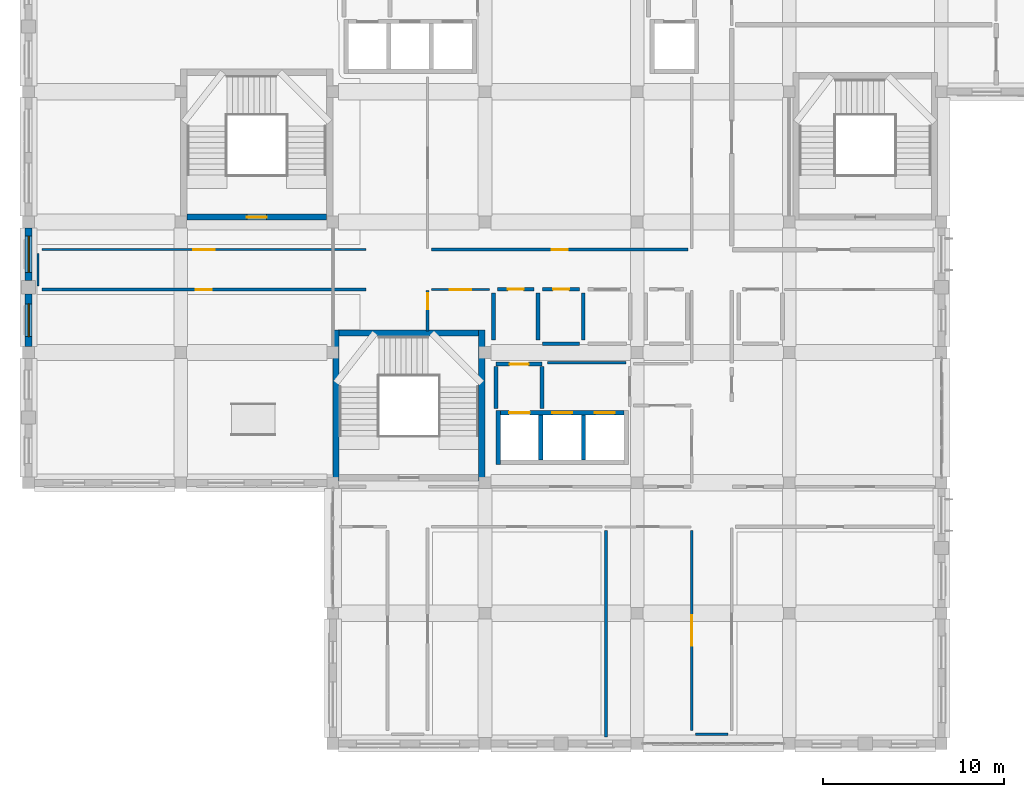
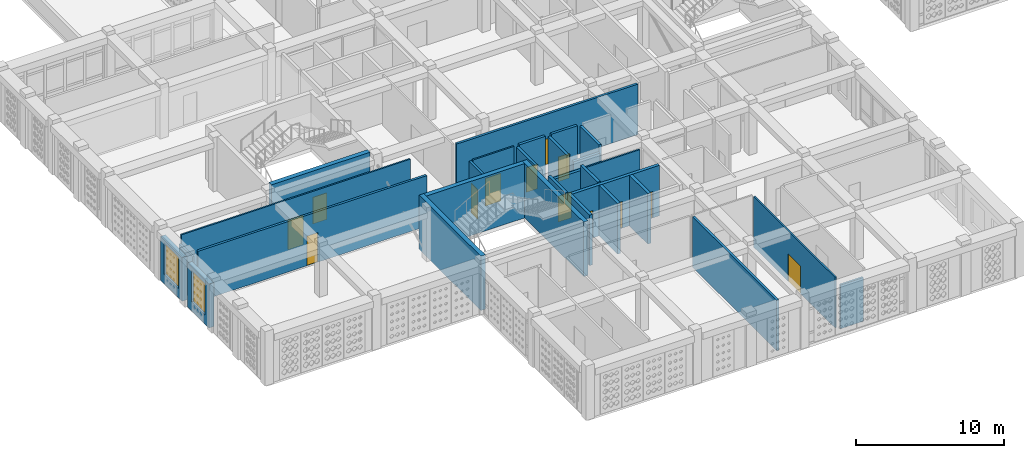
# One storey, part 40 of 79: 29 walls, 13 doors, 2 windows, 15 openings.
"""IFC4 building model written with IfcOpenShell, lengths in metres."""

from ifc_helpers import new_model, si_unit, derived_unit, direction, frame, frame_2d, origin, place, context, subcontext, project, spatial, rectangle, extrude, material, layer, layer_set, type_object, element, fill, save


model = new_model("IFC4")

# Units and contexts
model_context = context("Model", 3, precision=1e-05, world=origin(), true_north=direction((0.0, 1.0)))
body_context = subcontext(model_context, "Body", "Model", "MODEL_VIEW")
ifc_project = project(units=[si_unit("LENGTHUNIT", "METRE"), si_unit("AREAUNIT", "SQUARE_METRE"), si_unit("VOLUMEUNIT", "CUBIC_METRE"), si_unit("PLANEANGLEUNIT", "RADIAN"), si_unit("MASSUNIT", "GRAM", prefix="KILO"), derived_unit("THERMALTRANSMITTANCEUNIT", [(si_unit("POWERUNIT", "WATT"), 1), (si_unit("LENGTHUNIT", "METRE"), -2), (si_unit("THERMODYNAMICTEMPERATUREUNIT", "KELVIN"), -1)])], contexts=[model_context])

# Site, building, storey
site_placement = place(None, origin())
site = spatial("IfcSite", under=ifc_project, at=site_placement, CompositionType="ELEMENT")
building_placement = place(site_placement, origin())
building = spatial("IfcBuilding", under=site, at=building_placement, Name="Veybourne Emporium", CompositionType="ELEMENT")
storey_placement = place(building_placement, frame((0.0, 0.0, 18.89990234375)))
storey = spatial("IfcBuildingStorey", under=building, at=storey_placement, Name="L04", CompositionType="ELEMENT", Elevation=18.89990234375)

# Wall, opening, window
ifc_material_1 = material(Name="Portland Limestone Ashlar", Category="masonry")
ifc_layer_1 = layer(ifc_material_1, 0.3798828125)
ifc_layer_set_1 = layer_set([ifc_layer_1], Name="Portland Limestone Ashlar")
wall_type_1 = type_object("IfcWallType", Name="ExtWall_EW-03", PredefinedType="SOLIDWALL", material=ifc_layer_set_1)
wall_1_placement = place(storey_placement, frame((0.0, 21.925048828125, 0.0), z_axis=(0.0, 0.0, 1.0), x_axis=(0.0, 1.0, 0.0)))
wall_1 = element("IfcWall", 1, at=wall_1_placement, inside=storey, type_object=wall_type_1, Name="L04 Portland stone external wall 003A", PredefinedType="SOLIDWALL", context=body_context, shape_type="SweptSolid", body=[
    extrude(rectangle(XDim=2.905029296875, YDim=0.3798828125, at=frame_2d((1.45263671875, 0.0))), origin(), (0.0, 0.0, 1.0), 3.630126953125),
])
opening_1_placement = place(wall_1_placement, frame((0.552490234375, 0.0, 0.75)))
opening_1 = element("IfcOpeningElement", 2, at=opening_1_placement, cuts=wall_1, Name="Opening W-36", PredefinedType="OPENING", context=body_context, shape_type="SweptSolid", body=[
    extrude(rectangle(XDim=1.800048828125, YDim=2.6201171875, at=frame_2d((0.89990234375, 1.31005859375))), frame((0.0, 0.2099609375, 0.0), z_axis=(0.0, -1.0, 0.0), x_axis=(1.0, 0.0, 0.0)), (0.0, 0.0, 1.0), 0.419921875),
])
ifc_material_2 = material(Name="Low-E Triple Glazing", Category="glass")
window_type_1 = type_object("IfcWindowType", Name="Win_W-36", PartitioningType="DOUBLE_PANEL_VERTICAL", PredefinedType="WINDOW", material=ifc_material_2)
window_1_placement = place(opening_1_placement, origin())
window_1 = element("IfcWindow", 3, at=window_1_placement, inside=storey, type_object=window_type_1, Name="L04 tripartite bronze casement window W-36 (3A)", OverallHeight=2.6201171875, OverallWidth=1.800048828125, PartitioningType="DOUBLE_PANEL_VERTICAL", PredefinedType="WINDOW", context=body_context, shape_type="SweptSolid", body=[
    extrude(rectangle(XDim=1.800048828125, YDim=2.6201171875, at=frame_2d((0.89990234375, 1.31005859375))), frame((0.0, 0.030029296875, 0.0), z_axis=(0.0, -1.0, 0.0), x_axis=(1.0, 0.0, 0.0)), (0.0, 0.0, 1.0), 0.06005859375),
])
fill(opening_1, window_1)

wall_2_placement = place(storey_placement, frame((0.0, 25.570068359375, 0.0), z_axis=(0.0, 0.0, 1.0), x_axis=(0.0, 1.0, 0.0)))
wall_2 = element("IfcWall", 4, at=wall_2_placement, inside=storey, type_object=wall_type_1, Name="L04 Portland stone external wall 003B", PredefinedType="SOLIDWALL", context=body_context, shape_type="SweptSolid", body=[
    extrude(rectangle(XDim=2.905029296875, YDim=0.3798828125, at=frame_2d((1.45263671875, 0.0))), origin(), (0.0, 0.0, 1.0), 3.630126953125),
])
opening_2_placement = place(wall_2_placement, frame((0.452392578125, 0.0, 0.75)))
opening_2 = element("IfcOpeningElement", 5, at=opening_2_placement, cuts=wall_2, Name="Opening W-37", PredefinedType="OPENING", context=body_context, shape_type="SweptSolid", body=[
    extrude(rectangle(XDim=2.0, YDim=2.6201171875, at=frame_2d((1.0, 1.31005859375))), frame((0.0, 0.2099609375, 0.0), z_axis=(0.0, -1.0, 0.0), x_axis=(1.0, 0.0, 0.0)), (0.0, 0.0, 1.0), 0.419921875),
])
window_type_2 = type_object("IfcWindowType", Name="Win_W-37", PartitioningType="TRIPLE_PANEL_VERTICAL", PredefinedType="WINDOW", material=ifc_material_2)
window_2_placement = place(opening_2_placement, origin())
window_2 = element("IfcWindow", 6, at=window_2_placement, inside=storey, type_object=window_type_2, Name="L04 tripartite bronze casement window W-37 (3B)", OverallHeight=2.6201171875, OverallWidth=2.0, PartitioningType="TRIPLE_PANEL_VERTICAL", PredefinedType="WINDOW", context=body_context, shape_type="SweptSolid", body=[
    extrude(rectangle(XDim=2.0, YDim=2.6201171875, at=frame_2d((1.0, 1.31005859375))), frame((0.0, 0.030029296875, 0.0), z_axis=(0.0, -1.0, 0.0), x_axis=(1.0, 0.0, 0.0)), (0.0, 0.0, 1.0), 0.06005859375),
])
fill(opening_2, window_2)

# Walls
ifc_material_3 = material(Name="Concrete C40/50", Category="concrete")
ifc_layer_2 = layer(ifc_material_3, 0.35009765625)
ifc_layer_set_2 = layer_set([ifc_layer_2], Name="Concrete C40/50")
wall_type_2 = type_object("IfcWallType", Name="IntWall_CW-02", PredefinedType="SHEAR", material=ifc_layer_set_2)
wall_3_placement = place(storey_placement, frame((17.14990234375, 22.675048828125, 0.0), z_axis=(0.0, 0.0, 1.0), x_axis=(1.0, 0.0, 0.0)))
element("IfcWall", 7, at=wall_3_placement, inside=storey, type_object=wall_type_2, Name="Core stair ST-01 north shear wall (L04)", PredefinedType="SHEAR", context=body_context, shape_type="SweptSolid", body=[
    extrude(rectangle(XDim=7.7001953125, YDim=0.35009765625, at=frame_2d((3.85009765625, 0.0))), origin(), (0.0, 0.0, 1.0), 4.5),
])
for number, where, z_axis, x_axis, name in (
    (8, (16.97509765625, 22.85009765625, 0.0), (0.0, 0.0, 1.0), (0.0, -1.0, 0.0), "Core stair ST-01 west shear wall (L04)"),
    (9, (25.02490234375, 14.5, 0.0), (0.0, 0.0, 1.0), (0.0, 1.0, 0.0), "Core stair ST-01 east shear wall (L04)"),
):
    element("IfcWall", number, at=place(storey_placement, frame(where, z_axis=z_axis, x_axis=x_axis)), inside=storey, type_object=wall_type_2, Name=name, PredefinedType="SHEAR", context=body_context, shape_type="SweptSolid", body=[
        extrude(rectangle(XDim=8.35009765625, YDim=0.35009765625, at=frame_2d((4.175048828125, 0.0))), origin(), (0.0, 0.0, 1.0), 4.5),
    ])

# Wall, opening, door
wall_4_placement = place(storey_placement, frame((16.449951171875, 29.074951171875, 0.0), z_axis=(0.0, 0.0, 1.0), x_axis=(-1.0, 0.0, 0.0)))
wall_4 = element("IfcWall", 10, at=wall_4_placement, inside=storey, type_object=wall_type_2, Name="Core stair ST-02 south shear wall (L04)", PredefinedType="SHEAR", context=body_context, shape_type="SweptSolid", body=[
    extrude(rectangle(XDim=7.699951171875, YDim=0.35009765625, at=frame_2d((3.85009765625, 0.0))), origin(), (0.0, 0.0, 1.0), 4.5),
])
opening_3_placement = place(wall_4_placement, frame((3.300048828125, 0.0, 0.0)))
opening_3 = element("IfcOpeningElement", 11, at=opening_3_placement, cuts=wall_4, Name="Opening FD-01", PredefinedType="OPENING", context=body_context, shape_type="SweptSolid", body=[
    extrude(rectangle(XDim=1.10009765625, YDim=2.199951171875, at=frame_2d((0.550048828125, 1.10009765625))), frame((0.0, 0.195068359375, 0.0), z_axis=(0.0, -1.0, 0.0), x_axis=(1.0, 0.0, 0.0)), (0.0, 0.0, 1.0), 0.39013671875),
])
ifc_material_4 = material(Name="Patinated Architectural Bronze", Category="bronze")
door_type_1 = type_object("IfcDoorType", Name="FireDoor_FD-01", OperationType="NOTDEFINED", PredefinedType="DOOR", material=ifc_material_4)
door_1_placement = place(opening_3_placement, origin())
door_1 = element("IfcDoor", 12, at=door_1_placement, inside=storey, type_object=door_type_1, Name="Stair ST-02 fire door (L04)", OperationType="SINGLE_SWING_RIGHT", OverallHeight=2.199951171875, OverallWidth=1.10009765625, PredefinedType="DOOR", context=body_context, shape_type="SweptSolid", body=[
    extrude(rectangle(XDim=1.10009765625, YDim=2.199951171875, at=frame_2d((0.550048828125, 1.10009765625))), frame((0.0, 0.02490234375, 0.0), z_axis=(0.0, -1.0, 0.0), x_axis=(1.0, 0.0, 0.0)), (0.0, 0.0, 1.0), 0.050048828125),
])
fill(opening_3, door_1)

# Wall, openings, doors
ifc_layer_3 = layer(ifc_material_3, 0.239990234375)
ifc_layer_set_3 = layer_set([ifc_layer_3], Name="Concrete C40/50")
wall_type_3 = type_object("IfcWallType", Name="IntWall_CW-04", PredefinedType="SHEAR", material=ifc_layer_set_3)
wall_5_placement = place(storey_placement, frame((32.8798828125, 18.27001953125, 0.0), z_axis=(0.0, 0.0, 1.0), x_axis=(-1.0, 0.0, 0.0)))
wall_5 = element("IfcWall", 13, at=wall_5_placement, inside=storey, type_object=wall_type_3, Name="Lift core C1 north shaft wall (L04)", PredefinedType="SHEAR", context=body_context, shape_type="SweptSolid", body=[
    extrude(rectangle(XDim=6.81982421875, YDim=0.239990234375, at=frame_2d((3.409912109375, 0.0))), origin(), (0.0, 0.0, 1.0), 4.18017578125),
])
opening_4_placement = place(wall_5_placement, frame((5.195068359375, 0.0, 0.0)))
opening_4 = element("IfcOpeningElement", 14, at=opening_4_placement, cuts=wall_5, Name="Opening LD-02", PredefinedType="OPENING", context=body_context, shape_type="SweptSolid", body=[
    extrude(rectangle(XDim=1.14990234375, YDim=2.25, at=frame_2d((0.574951171875, 1.125))), frame((0.0, 0.14013671875, 0.0), z_axis=(0.0, -1.0, 0.0), x_axis=(1.0, 0.0, 0.0)), (0.0, 0.0, 1.0), 0.280029296875),
])
opening_5_placement = place(wall_5_placement, frame((2.8701171875, 0.0, 0.0)))
opening_5 = element("IfcOpeningElement", 15, at=opening_5_placement, cuts=wall_5, Name="Opening LD-01", PredefinedType="OPENING", context=body_context, shape_type="SweptSolid", body=[
    extrude(rectangle(XDim=1.10009765625, YDim=2.199951171875, at=frame_2d((0.550048828125, 1.10009765625))), frame((0.0, 0.14013671875, 0.0), z_axis=(0.0, -1.0, 0.0), x_axis=(1.0, 0.0, 0.0)), (0.0, 0.0, 1.0), 0.280029296875),
])
opening_6_placement = place(wall_5_placement, frame((0.510009765625, 0.0, 0.0)))
opening_6 = element("IfcOpeningElement", 16, at=opening_6_placement, cuts=wall_5, Name="Opening LD-01", PredefinedType="OPENING", context=body_context, shape_type="SweptSolid", body=[
    extrude(rectangle(XDim=1.10009765625, YDim=2.199951171875, at=frame_2d((0.550048828125, 1.10009765625))), frame((0.0, 0.14013671875, 0.0), z_axis=(0.0, -1.0, 0.0), x_axis=(1.0, 0.0, 0.0)), (0.0, 0.0, 1.0), 0.280029296875),
])
door_type_2 = type_object("IfcDoorType", Name="FireDoor_LD-01", OperationType="DOUBLE_DOOR_SLIDING", PredefinedType="DOOR", material=ifc_material_4)
door_2_placement = place(opening_5_placement, origin())
door_2 = element("IfcDoor", 17, at=door_2_placement, inside=storey, type_object=door_type_2, Name="Lift PL-01 sliding landing door (L04)", OperationType="DOUBLE_DOOR_SLIDING", OverallHeight=2.199951171875, OverallWidth=1.10009765625, PredefinedType="DOOR", context=body_context, shape_type="SweptSolid", body=[
    extrude(rectangle(XDim=1.10009765625, YDim=2.199951171875, at=frame_2d((0.550048828125, 1.10009765625))), frame((0.0, 0.02490234375, 0.0), z_axis=(0.0, -1.0, 0.0), x_axis=(1.0, 0.0, 0.0)), (0.0, 0.0, 1.0), 0.050048828125),
])
fill(opening_5, door_2)
door_3_placement = place(opening_6_placement, origin())
door_3 = element("IfcDoor", 18, at=door_3_placement, inside=storey, type_object=door_type_2, Name="Lift PL-02 sliding landing door (L04)", OperationType="DOUBLE_DOOR_SLIDING", OverallHeight=2.199951171875, OverallWidth=1.10009765625, PredefinedType="DOOR", context=body_context, shape_type="SweptSolid", body=[
    extrude(rectangle(XDim=1.10009765625, YDim=2.199951171875, at=frame_2d((0.550048828125, 1.10009765625))), frame((0.0, 0.02490234375, 0.0), z_axis=(0.0, -1.0, 0.0), x_axis=(1.0, 0.0, 0.0)), (0.0, 0.0, 1.0), 0.050048828125),
])
fill(opening_6, door_3)
door_type_3 = type_object("IfcDoorType", Name="FireDoor_LD-02", OperationType="SLIDING_TO_LEFT", PredefinedType="DOOR", material=ifc_material_4)
door_4_placement = place(opening_4_placement, origin())
door_4 = element("IfcDoor", 19, at=door_4_placement, inside=storey, type_object=door_type_3, Name="Lift FFL-01 sliding landing door (L04)", OperationType="SLIDING_TO_LEFT", OverallHeight=2.25, OverallWidth=1.14990234375, PredefinedType="DOOR", context=body_context, shape_type="SweptSolid", body=[
    extrude(rectangle(XDim=1.14990234375, YDim=2.25, at=frame_2d((0.574951171875, 1.125))), frame((0.0, 0.02490234375, 0.0), z_axis=(0.0, -1.0, 0.0), x_axis=(1.0, 0.0, 0.0)), (0.0, 0.0, 1.0), 0.050048828125),
])
fill(opening_4, door_4)

# Walls
wall_6_placement = place(storey_placement, frame((25.93994140625, 18.389892578125, 0.0), z_axis=(0.0, 0.0, 1.0), x_axis=(0.0, -1.0, 0.0)))
element("IfcWall", 20, at=wall_6_placement, inside=storey, type_object=wall_type_3, Name="Lift core C1 west shaft wall (L04)", PredefinedType="SHEAR", context=body_context, shape_type="SweptSolid", body=[
    extrude(rectangle(XDim=2.97998046875, YDim=0.239990234375, at=frame_2d((1.489990234375, 0.0))), origin(), (0.0, 0.0, 1.0), 4.18017578125),
])
for number, where, z_axis, x_axis, name in (
    (21, (28.280029296875, 15.64990234375, 0.0), (0.0, 0.0, 1.0), (0.0, 1.0, 0.0), "Lift core C1 divider wall 1 (L04)"),
    (22, (30.639892578125, 15.64990234375, 0.0), (0.0, 0.0, 1.0), (0.0, 1.0, 0.0), "Lift core C1 divider wall 2 (L04)"),
):
    element("IfcWall", number, at=place(storey_placement, frame(where, z_axis=z_axis, x_axis=x_axis)), inside=storey, type_object=wall_type_3, Name=name, PredefinedType="SHEAR", context=body_context, shape_type="SweptSolid", body=[
        extrude(rectangle(XDim=2.5, YDim=0.239990234375, at=frame_2d((1.25, 0.0))), origin(), (0.0, 0.0, 1.0), 4.18017578125),
    ])

# Wall, opening, door
ifc_material_5 = material(Name="Concrete C32/40", Category="concrete")
ifc_layer_4 = layer(ifc_material_5, 0.219970703125)
ifc_layer_set_4 = layer_set([ifc_layer_4], Name="Concrete C32/40")
wall_type_4 = type_object("IfcWallType", Name="IntWall_FW-02", PredefinedType="SOLIDWALL", material=ifc_layer_set_4)
wall_7_placement = place(storey_placement, frame((25.820068359375, 20.949951171875, 0.0), z_axis=(0.0, 0.0, 1.0), x_axis=(1.0, 0.0, 0.0)))
wall_7 = element("IfcWall", 23, at=wall_7_placement, inside=storey, type_object=wall_type_4, Name="Firefighting lobby C1 fire wall N (L04)", PredefinedType="SOLIDWALL", context=body_context, shape_type="SweptSolid", body=[
    extrude(rectangle(XDim=2.5400390625, YDim=0.219970703125, at=frame_2d((1.27001953125, 0.0))), origin(), (0.0, 0.0, 1.0), 3.72998046875),
])
opening_7_placement = place(wall_7_placement, frame((0.7451171875, 0.0, 0.0)))
opening_7 = element("IfcOpeningElement", 24, at=opening_7_placement, cuts=wall_7, Name="Opening FD-02", PredefinedType="OPENING", context=body_context, shape_type="SweptSolid", body=[
    extrude(rectangle(XDim=1.050048828125, YDim=2.14990234375, at=frame_2d((0.52490234375, 1.074951171875))), frame((0.0, 0.1298828125, 0.0), z_axis=(0.0, -1.0, 0.0), x_axis=(1.0, 0.0, 0.0)), (0.0, 0.0, 1.0), 0.260009765625),
])
door_type_4 = type_object("IfcDoorType", Name="FireDoor_FD-02", OperationType="NOTDEFINED", PredefinedType="DOOR", material=ifc_material_4)
door_5_placement = place(opening_7_placement, origin())
door_5 = element("IfcDoor", 25, at=door_5_placement, inside=storey, type_object=door_type_4, Name="Firefighting lobby C1 FD60S door N (L04)", OperationType="SINGLE_SWING_RIGHT", OverallHeight=2.14990234375, OverallWidth=1.050048828125, PredefinedType="DOOR", context=body_context, shape_type="SweptSolid", body=[
    extrude(rectangle(XDim=1.050048828125, YDim=2.14990234375, at=frame_2d((0.52490234375, 1.074951171875))), frame((0.0, 0.02490234375, 0.0), z_axis=(0.0, -1.0, 0.0), x_axis=(1.0, 0.0, 0.0)), (0.0, 0.0, 1.0), 0.050048828125),
])
fill(opening_7, door_5)

# Walls
for number, where, z_axis, x_axis, name in (
    (26, (25.820068359375, 18.510009765625, 0.0), (0.0, 0.0, 1.0), (0.0, 1.0, 0.0), "Firefighting lobby C1 fire wall W (L04)"),
    (27, (28.360107421875, 18.510009765625, 0.0), (0.0, 0.0, 1.0), (0.0, 1.0, 0.0), "Firefighting lobby C1 fire wall E (L04)"),
):
    element("IfcWall", number, at=place(storey_placement, frame(where, z_axis=z_axis, x_axis=x_axis)), inside=storey, type_object=wall_type_4, Name=name, PredefinedType="SOLIDWALL", context=body_context, shape_type="SweptSolid", body=[
        extrude(rectangle(XDim=2.320068359375, YDim=0.219970703125, at=frame_2d((1.16015625, 0.0))), origin(), (0.0, 0.0, 1.0), 4.18017578125),
    ])

# Wall, opening, door
ifc_material_6 = material(Name="Gypsum Acoustic Board", Category="gypsum")
ifc_layer_5 = layer(ifc_material_6, 0.179931640625)
ifc_layer_set_5 = layer_set([ifc_layer_5], Name="Gypsum Acoustic Board")
wall_type_5 = type_object("IfcWallType", Name="IntWall_IW-01", PredefinedType="PARTITIONING", material=ifc_layer_set_5)
wall_8_placement = place(storey_placement, frame((0.72998046875, 25.070068359375, 0.0), z_axis=(0.0, 0.0, 1.0), x_axis=(1.0, 0.0, 0.0)))
wall_8 = element("IfcWall", 28, at=wall_8_placement, inside=storey, type_object=wall_type_5, Name="L04 interior partition IW-01 #007", PredefinedType="PARTITIONING", context=body_context, shape_type="SweptSolid", body=[
    extrude(rectangle(XDim=17.904052734375, YDim=0.179931640625, at=frame_2d((8.9521484375, 0.0))), origin(), (0.0, 0.0, 1.0), 4.18017578125),
])
opening_8_placement = place(wall_8_placement, frame((8.511962890625, 0.0, 0.0)))
opening_8 = element("IfcOpeningElement", 29, at=opening_8_placement, cuts=wall_8, Name="Opening D-31", PredefinedType="OPENING", context=body_context, shape_type="SweptSolid", body=[
    extrude(rectangle(XDim=0.8798828125, YDim=2.449951171875, at=frame_2d((0.43994140625, 1.22509765625))), frame((0.0, 0.10986328125, 0.0), z_axis=(0.0, -1.0, 0.0), x_axis=(1.0, 0.0, 0.0)), (0.0, 0.0, 1.0), 0.219970703125),
])
ifc_material_7 = material(Name="European Oak Veneer and Bronze", Category="wood")
door_type_5 = type_object("IfcDoorType", Name="IntDoor_D-31", OperationType="NOTDEFINED", PredefinedType="DOOR", material=ifc_material_7)
door_6_placement = place(opening_8_placement, origin())
door_6 = element("IfcDoor", 30, at=door_6_placement, inside=storey, type_object=door_type_5, Name="L04 interior door D-31 (PART-L04-007)", OperationType="SINGLE_SWING_RIGHT", OverallHeight=2.449951171875, OverallWidth=0.8798828125, PredefinedType="DOOR", context=body_context, shape_type="SweptSolid", body=[
    extrude(rectangle(XDim=0.8798828125, YDim=2.449951171875, at=frame_2d((0.43994140625, 1.22509765625))), frame((0.0, 0.02490234375, 0.0), z_axis=(0.0, -1.0, 0.0), x_axis=(1.0, 0.0, 0.0)), (0.0, 0.0, 1.0), 0.050048828125),
])
fill(opening_8, door_6)

wall_9_placement = place(storey_placement, frame((22.239990234375, 27.280029296875, 0.0), z_axis=(0.0, 0.0, 1.0), x_axis=(1.0, 0.0, 0.0)))
wall_9 = element("IfcWall", 31, at=wall_9_placement, inside=storey, type_object=wall_type_5, Name="L04 interior partition IW-01 #019", PredefinedType="PARTITIONING", context=body_context, shape_type="SweptSolid", body=[
    extrude(rectangle(XDim=14.169921875, YDim=0.179931640625, at=frame_2d((7.0849609375, 0.0))), origin(), (0.0, 0.0, 1.0), 4.18017578125),
])
opening_9_placement = place(wall_9_placement, frame((6.64501953125, 0.0, 0.0)))
opening_9 = element("IfcOpeningElement", 32, at=opening_9_placement, cuts=wall_9, Name="Opening D-07", PredefinedType="OPENING", context=body_context, shape_type="SweptSolid", body=[
    extrude(rectangle(XDim=0.8798828125, YDim=2.1298828125, at=frame_2d((0.43994140625, 1.06494140625))), frame((0.0, 0.10986328125, 0.0), z_axis=(0.0, -1.0, 0.0), x_axis=(1.0, 0.0, 0.0)), (0.0, 0.0, 1.0), 0.219970703125),
])
door_type_6 = type_object("IfcDoorType", Name="IntDoor_D-07", OperationType="NOTDEFINED", PredefinedType="DOOR", material=ifc_material_7)
door_7_placement = place(opening_9_placement, origin())
door_7 = element("IfcDoor", 33, at=door_7_placement, inside=storey, type_object=door_type_6, Name="L04 interior door D-07 (PART-L04-019)", OperationType="SINGLE_SWING_LEFT", OverallHeight=2.1298828125, OverallWidth=0.8798828125, PredefinedType="DOOR", context=body_context, shape_type="SweptSolid", body=[
    extrude(rectangle(XDim=0.8798828125, YDim=2.1298828125, at=frame_2d((0.43994140625, 1.06494140625))), frame((0.0, 0.02490234375, 0.0), z_axis=(0.0, -1.0, 0.0), x_axis=(1.0, 0.0, 0.0)), (0.0, 0.0, 1.0), 0.050048828125),
])
fill(opening_9, door_7)

wall_10_placement = place(storey_placement, frame((22.030029296875, 22.7900390625, 0.0), z_axis=(0.0, 0.0, 1.0), x_axis=(0.0, 1.0, 0.0)))
wall_10 = element("IfcWall", 34, at=wall_10_placement, inside=storey, type_object=wall_type_5, Name="L04 interior partition IW-01 #079", PredefinedType="PARTITIONING", context=body_context, shape_type="SweptSolid", body=[
    extrude(rectangle(XDim=2.22998046875, YDim=0.179931640625, at=frame_2d((1.114990234375, 0.0))), origin(), (0.0, 0.0, 1.0), 4.18017578125),
])
opening_10_placement = place(wall_10_placement, frame((1.18798828125, 0.0, 0.0)))
opening_10 = element("IfcOpeningElement", 35, at=opening_10_placement, cuts=wall_10, Name="Opening D-31", PredefinedType="OPENING", context=body_context, shape_type="SweptSolid", body=[
    extrude(rectangle(XDim=0.8798828125, YDim=2.449951171875, at=frame_2d((0.43994140625, 1.22509765625))), frame((0.0, 0.10986328125, 0.0), z_axis=(0.0, -1.0, 0.0), x_axis=(1.0, 0.0, 0.0)), (0.0, 0.0, 1.0), 0.219970703125),
])
door_8_placement = place(opening_10_placement, origin())
door_8 = element("IfcDoor", 36, at=door_8_placement, inside=storey, type_object=door_type_5, Name="L04 interior door D-31 (PART-L04-079)", OperationType="SINGLE_SWING_LEFT", OverallHeight=2.449951171875, OverallWidth=0.8798828125, PredefinedType="DOOR", context=body_context, shape_type="SweptSolid", body=[
    extrude(rectangle(XDim=0.8798828125, YDim=2.449951171875, at=frame_2d((0.43994140625, 1.22509765625))), frame((0.0, 0.02490234375, 0.0), z_axis=(0.0, -1.0, 0.0), x_axis=(1.0, 0.0, 0.0)), (0.0, 0.0, 1.0), 0.050048828125),
])
fill(opening_10, door_8)

# Walls
wall_11_placement = place(storey_placement, frame((31.8798828125, 0.3701171875, 0.0), z_axis=(0.0, 0.0, 1.0), x_axis=(0.0, 1.0, 0.0)))
element("IfcWall", 37, at=wall_11_placement, inside=storey, type_object=wall_type_5, Name="L04 interior partition IW-01 #115", PredefinedType="PARTITIONING", context=body_context, shape_type="SweptSolid", body=[
    extrude(rectangle(XDim=11.389892578125, YDim=0.179931640625, at=frame_2d((5.69482421875, 0.0))), origin(), (0.0, 0.0, 1.0), 4.18017578125),
])
ifc_layer_6 = layer(ifc_material_6, 0.14990234375)
ifc_layer_set_6 = layer_set([ifc_layer_6], Name="Gypsum Acoustic Board")
wall_type_6 = type_object("IfcWallType", Name="IntWall_IW-02", PredefinedType="PARTITIONING", material=ifc_layer_set_6)
wall_12_placement = place(storey_placement, frame((36.830078125, 0.52001953125, 0.0), z_axis=(0.0, 0.0, 1.0), x_axis=(1.0, 0.0, 0.0)))
element("IfcWall", 38, at=wall_12_placement, inside=storey, type_object=wall_type_6, Name="L04 interior partition IW-02 #098", PredefinedType="PARTITIONING", context=body_context, shape_type="SweptSolid", body=[
    extrude(rectangle(XDim=1.7900390625, YDim=0.14990234375, at=frame_2d((0.89501953125, 0.0))), origin(), (0.0, 0.0, 1.0), 3.630126953125),
])

# Wall, opening, door
ifc_layer_7 = layer(ifc_material_6, 0.1201171875)
ifc_layer_set_7 = layer_set([ifc_layer_7], Name="Gypsum Acoustic Board")
wall_type_7 = type_object("IfcWallType", Name="IntWall_IW-03", PredefinedType="PARTITIONING", material=ifc_layer_set_7)
wall_13_placement = place(storey_placement, frame((0.72998046875, 27.280029296875, 0.0), z_axis=(0.0, 0.0, 1.0), x_axis=(1.0, 0.0, 0.0)))
wall_13 = element("IfcWall", 39, at=wall_13_placement, inside=storey, type_object=wall_type_7, Name="L04 interior partition IW-03 #009", PredefinedType="PARTITIONING", context=body_context, shape_type="SweptSolid", body=[
    extrude(rectangle(XDim=17.904052734375, YDim=0.1201171875, at=frame_2d((8.9521484375, 0.0))), origin(), (0.0, 0.0, 1.0), 4.18017578125),
])
opening_11_placement = place(wall_13_placement, frame((8.35205078125, 0.0, 0.0)))
opening_11 = element("IfcOpeningElement", 40, at=opening_11_placement, cuts=wall_13, Name="Opening D-33", PredefinedType="OPENING", context=body_context, shape_type="SweptSolid", body=[
    extrude(rectangle(XDim=1.199951171875, YDim=2.449951171875, at=frame_2d((0.60009765625, 1.22509765625))), frame((0.0, 0.080078125, 0.0), z_axis=(0.0, -1.0, 0.0), x_axis=(1.0, 0.0, 0.0)), (0.0, 0.0, 1.0), 0.16015625),
])
door_type_7 = type_object("IfcDoorType", Name="IntDoor_D-33", OperationType="NOTDEFINED", PredefinedType="DOOR", material=ifc_material_7)
door_9_placement = place(opening_11_placement, origin())
door_9 = element("IfcDoor", 41, at=door_9_placement, inside=storey, type_object=door_type_7, Name="L04 interior door D-33 (PART-L04-009)", OperationType="SINGLE_SWING_RIGHT", OverallHeight=2.449951171875, OverallWidth=1.199951171875, PredefinedType="DOOR", context=body_context, shape_type="SweptSolid", body=[
    extrude(rectangle(XDim=1.199951171875, YDim=2.449951171875, at=frame_2d((0.60009765625, 1.22509765625))), frame((0.0, 0.02490234375, 0.0), z_axis=(0.0, -1.0, 0.0), x_axis=(1.0, 0.0, 0.0)), (0.0, 0.0, 1.0), 0.050048828125),
])
fill(opening_11, door_9)

wall_14_placement = place(storey_placement, frame((36.6201171875, 0.72998046875, 0.0), z_axis=(0.0, 0.0, 1.0), x_axis=(0.0, 1.0, 0.0)))
wall_14 = element("IfcWall", 42, at=wall_14_placement, inside=storey, type_object=wall_type_7, Name="L04 interior partition IW-03 #036", PredefinedType="PARTITIONING", context=body_context, shape_type="SweptSolid", body=[
    extrude(rectangle(XDim=11.030029296875, YDim=0.1201171875, at=frame_2d((5.51513671875, 0.0))), origin(), (0.0, 0.0, 1.0), 4.18017578125),
])
opening_12_placement = place(wall_14_placement, frame((4.675048828125, 0.0, 0.0)))
opening_12 = element("IfcOpeningElement", 43, at=opening_12_placement, cuts=wall_14, Name="Opening D-24", PredefinedType="OPENING", context=body_context, shape_type="SweptSolid", body=[
    extrude(rectangle(XDim=1.679931640625, YDim=2.2900390625, at=frame_2d((0.83984375, 1.14501953125))), frame((0.0, 0.080078125, 0.0), z_axis=(0.0, -1.0, 0.0), x_axis=(1.0, 0.0, 0.0)), (0.0, 0.0, 1.0), 0.16015625),
])
door_type_8 = type_object("IfcDoorType", Name="IntDoor_D-24", OperationType="DOUBLE_DOOR_SINGLE_SWING", PredefinedType="DOOR", material=ifc_material_7)
door_10_placement = place(opening_12_placement, origin())
door_10 = element("IfcDoor", 44, at=door_10_placement, inside=storey, type_object=door_type_8, Name="L04 interior door D-24 (PART-L04-036)", OperationType="DOUBLE_DOOR_SINGLE_SWING", OverallHeight=2.2900390625, OverallWidth=1.679931640625, PredefinedType="DOOR", context=body_context, shape_type="SweptSolid", body=[
    extrude(rectangle(XDim=1.679931640625, YDim=2.2900390625, at=frame_2d((0.83984375, 1.14501953125))), frame((0.0, 0.02490234375, 0.0), z_axis=(0.0, -1.0, 0.0), x_axis=(1.0, 0.0, 0.0)), (0.0, 0.0, 1.0), 0.050048828125),
])
fill(opening_12, door_10)

# Wall
wall_15_placement = place(storey_placement, frame((28.64990234375, 21.030029296875, 0.0), z_axis=(0.0, 0.0, 1.0), x_axis=(1.0, 0.0, 0.0)))
element("IfcWall", 45, at=wall_15_placement, inside=storey, type_object=wall_type_7, Name="L04 interior partition IW-03 #060", PredefinedType="PARTITIONING", context=body_context, shape_type="SweptSolid", body=[
    extrude(rectangle(XDim=4.340087890625, YDim=0.1201171875, at=frame_2d((2.169921875, 0.0))), origin(), (0.0, 0.0, 1.0), 3.72998046875),
])

# Wall, opening, door
wall_16_placement = place(storey_placement, frame((22.239990234375, 25.070068359375, 0.0), z_axis=(0.0, 0.0, 1.0), x_axis=(1.0, 0.0, 0.0)))
wall_16 = element("IfcWall", 46, at=wall_16_placement, inside=storey, type_object=wall_type_7, Name="L04 interior partition IW-03 #069", PredefinedType="PARTITIONING", context=body_context, shape_type="SweptSolid", body=[
    extrude(rectangle(XDim=3.219970703125, YDim=0.1201171875, at=frame_2d((1.60986328125, 0.0))), origin(), (0.0, 0.0, 1.0), 4.18017578125),
])
opening_13_placement = place(wall_16_placement, frame((1.010009765625, 0.0, 0.0)))
opening_13 = element("IfcOpeningElement", 47, at=opening_13_placement, cuts=wall_16, Name="Opening D-21", PredefinedType="OPENING", context=body_context, shape_type="SweptSolid", body=[
    extrude(rectangle(XDim=1.199951171875, YDim=2.2900390625, at=frame_2d((0.60009765625, 1.14501953125))), frame((0.0, 0.080078125, 0.0), z_axis=(0.0, -1.0, 0.0), x_axis=(1.0, 0.0, 0.0)), (0.0, 0.0, 1.0), 0.16015625),
])
door_type_9 = type_object("IfcDoorType", Name="IntDoor_D-21", OperationType="NOTDEFINED", PredefinedType="DOOR", material=ifc_material_7)
door_11_placement = place(opening_13_placement, origin())
door_11 = element("IfcDoor", 48, at=door_11_placement, inside=storey, type_object=door_type_9, Name="L04 interior door D-21 (PART-L04-069)", OperationType="SINGLE_SWING_LEFT", OverallHeight=2.2900390625, OverallWidth=1.199951171875, PredefinedType="DOOR", context=body_context, shape_type="SweptSolid", body=[
    extrude(rectangle(XDim=1.199951171875, YDim=2.2900390625, at=frame_2d((0.60009765625, 1.14501953125))), frame((0.0, 0.02490234375, 0.0), z_axis=(0.0, -1.0, 0.0), x_axis=(1.0, 0.0, 0.0)), (0.0, 0.0, 1.0), 0.050048828125),
])
fill(opening_13, door_11)

# Wall
wall_17_placement = place(storey_placement, frame((0.52001953125, 25.280029296875, 0.0), z_axis=(0.0, 0.0, 1.0), x_axis=(0.0, 1.0, 0.0)))
element("IfcWall", 49, at=wall_17_placement, inside=storey, type_object=wall_type_7, Name="L04 interior partition IW-03 #096", PredefinedType="PARTITIONING", context=body_context, shape_type="SweptSolid", body=[
    extrude(rectangle(XDim=1.7900390625, YDim=0.1201171875, at=frame_2d((0.89501953125, 0.0))), origin(), (0.0, 0.0, 1.0), 3.630126953125),
])

# Wall, opening, door
ifc_layer_8 = layer(ifc_material_6, 0.199951171875)
ifc_layer_set_8 = layer_set([ifc_layer_8], Name="Gypsum Acoustic Board")
wall_type_8 = type_object("IfcWallType", Name="IntWall_IW-04", PredefinedType="PLUMBINGWALL", material=ifc_layer_set_8)
wall_18_placement = place(storey_placement, frame((25.8798828125, 25.080078125, 0.0), z_axis=(0.0, 0.0, 1.0), x_axis=(1.0, 0.0, 0.0)))
wall_18 = element("IfcWall", 50, at=wall_18_placement, inside=storey, type_object=wall_type_8, Name="L04 interior partition IW-04 #084", PredefinedType="PLUMBINGWALL", context=body_context, shape_type="SweptSolid", body=[
    extrude(rectangle(XDim=2.0400390625, YDim=0.199951171875, at=frame_2d((1.02001953125, 0.0))), origin(), (0.0, 0.0, 1.0), 4.18017578125),
])
opening_14_placement = place(wall_18_placement, frame((0.580078125, 0.0, 0.0)))
opening_14 = element("IfcOpeningElement", 51, at=opening_14_placement, cuts=wall_18, Name="Opening D-01", PredefinedType="OPENING", context=body_context, shape_type="SweptSolid", body=[
    extrude(rectangle(XDim=0.8798828125, YDim=2.050048828125, at=frame_2d((0.43994140625, 1.02490234375))), frame((0.0, 0.1201171875, 0.0), z_axis=(0.0, -1.0, 0.0), x_axis=(1.0, 0.0, 0.0)), (0.0, 0.0, 1.0), 0.239990234375),
])
door_type_10 = type_object("IfcDoorType", Name="IntDoor_D-01", OperationType="NOTDEFINED", PredefinedType="DOOR", material=ifc_material_7)
door_12_placement = place(opening_14_placement, origin())
door_12 = element("IfcDoor", 52, at=door_12_placement, inside=storey, type_object=door_type_10, Name="L04 interior door D-01 (PART-L04-084)", OperationType="SINGLE_SWING_LEFT", OverallHeight=2.050048828125, OverallWidth=0.8798828125, PredefinedType="DOOR", context=body_context, shape_type="SweptSolid", body=[
    extrude(rectangle(XDim=0.8798828125, YDim=2.050048828125, at=frame_2d((0.43994140625, 1.02490234375))), frame((0.0, 0.02490234375, 0.0), z_axis=(0.0, -1.0, 0.0), x_axis=(1.0, 0.0, 0.0)), (0.0, 0.0, 1.0), 0.050048828125),
])
fill(opening_14, door_12)

wall_19_placement = place(storey_placement, frame((28.3798828125, 25.080078125, 0.0), z_axis=(0.0, 0.0, 1.0), x_axis=(1.0, 0.0, 0.0)))
wall_19 = element("IfcWall", 53, at=wall_19_placement, inside=storey, type_object=wall_type_8, Name="L04 interior partition IW-04 #085", PredefinedType="PLUMBINGWALL", context=body_context, shape_type="SweptSolid", body=[
    extrude(rectangle(XDim=2.0400390625, YDim=0.199951171875, at=frame_2d((1.02001953125, 0.0))), origin(), (0.0, 0.0, 1.0), 4.18017578125),
])
opening_15_placement = place(wall_19_placement, frame((0.580078125, 0.0, 0.0)))
opening_15 = element("IfcOpeningElement", 54, at=opening_15_placement, cuts=wall_19, Name="Opening D-01", PredefinedType="OPENING", context=body_context, shape_type="SweptSolid", body=[
    extrude(rectangle(XDim=0.8798828125, YDim=2.050048828125, at=frame_2d((0.43994140625, 1.02490234375))), frame((0.0, 0.1201171875, 0.0), z_axis=(0.0, -1.0, 0.0), x_axis=(1.0, 0.0, 0.0)), (0.0, 0.0, 1.0), 0.239990234375),
])
door_13_placement = place(opening_15_placement, origin())
door_13 = element("IfcDoor", 55, at=door_13_placement, inside=storey, type_object=door_type_10, Name="L04 interior door D-01 (PART-L04-085)", OperationType="SINGLE_SWING_RIGHT", OverallHeight=2.050048828125, OverallWidth=0.8798828125, PredefinedType="DOOR", context=body_context, shape_type="SweptSolid", body=[
    extrude(rectangle(XDim=0.8798828125, YDim=2.050048828125, at=frame_2d((0.43994140625, 1.02490234375))), frame((0.0, 0.02490234375, 0.0), z_axis=(0.0, -1.0, 0.0), x_axis=(1.0, 0.0, 0.0)), (0.0, 0.0, 1.0), 0.050048828125),
])
fill(opening_15, door_13)

# Walls
for number, where, z_axis, x_axis, name in (
    (56, (28.1298828125, 22.280029296875, 0.0), (0.0, 0.0, 1.0), (0.0, 1.0, 0.0), "L04 interior partition IW-04 #131"),
    (57, (25.669921875, 22.280029296875, 0.0), (0.0, 0.0, 1.0), (0.0, 1.0, 0.0), "L04 interior partition IW-04 #132"),
    (58, (30.6298828125, 22.280029296875, 0.0), (0.0, 0.0, 1.0), (0.0, 1.0, 0.0), "L04 interior partition IW-04 #133"),
):
    element("IfcWall", number, at=place(storey_placement, frame(where, z_axis=z_axis, x_axis=x_axis)), inside=storey, type_object=wall_type_8, Name=name, PredefinedType="PLUMBINGWALL", context=body_context, shape_type="SweptSolid", body=[
        extrude(rectangle(XDim=2.590087890625, YDim=0.199951171875, at=frame_2d((1.294921875, 0.0))), origin(), (0.0, 0.0, 1.0), 4.18017578125),
    ])
wall_20_placement = place(storey_placement, frame((28.3798828125, 22.070068359375, 0.0), z_axis=(0.0, 0.0, 1.0), x_axis=(1.0, 0.0, 0.0)))
element("IfcWall", 59, at=wall_20_placement, inside=storey, type_object=wall_type_8, Name="L04 interior partition IW-04 #141", PredefinedType="PLUMBINGWALL", context=body_context, shape_type="SweptSolid", body=[
    extrude(rectangle(XDim=2.0400390625, YDim=0.199951171875, at=frame_2d((1.02001953125, 0.0))), origin(), (0.0, 0.0, 1.0), 3.72998046875),
])

save(model, "model.ifc")
